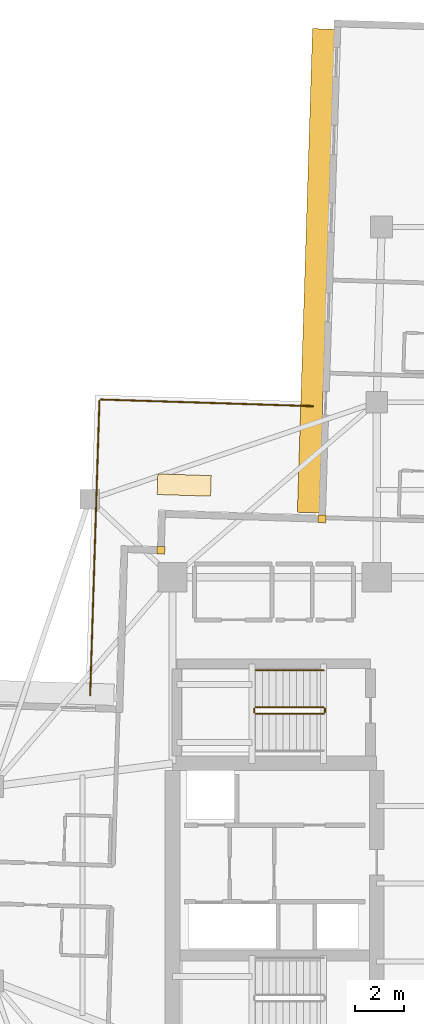
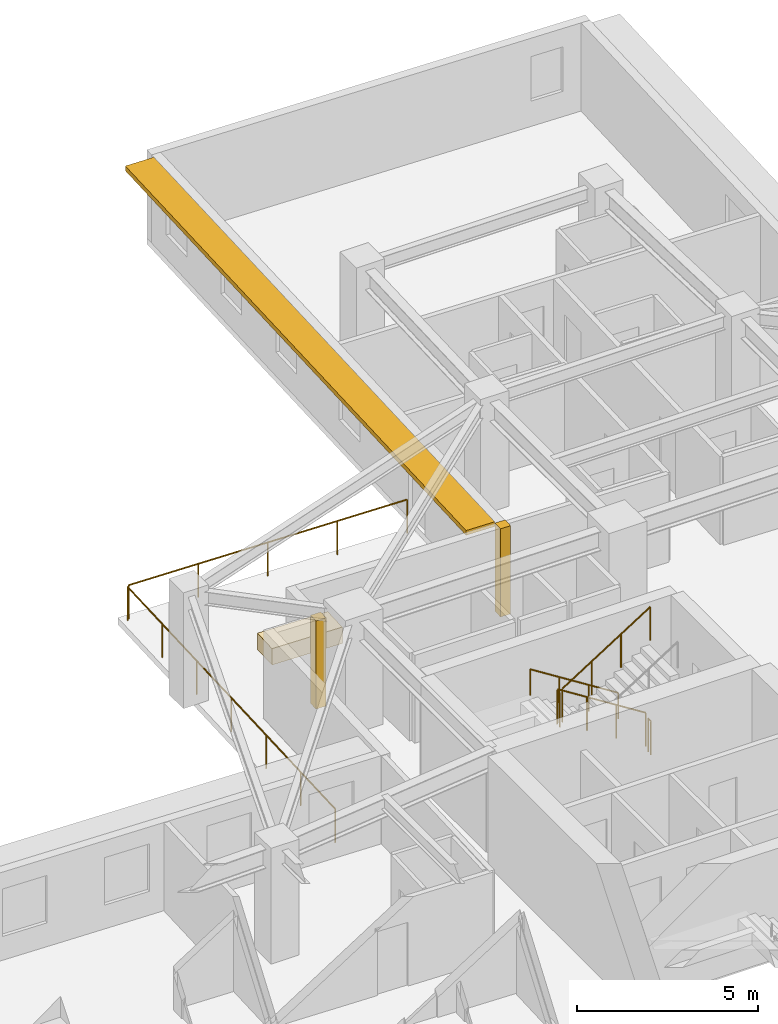
# One storey, part 12 of 13: 7 railings, 3 coverings, 1 shading device.
"""IFC4 building model written with IfcOpenShell, lengths in metres."""

from ifc_helpers import new_model, si_unit, direction, frame, origin, origin_2d, place, context, subcontext, project, spatial, rectangle, circle, extrude, material, layer, layer_set, type_object, element, save


model = new_model("IFC4")

# Units and contexts
model_context = context("Model", 3, precision=1e-05, world=origin(), true_north=direction((0.0, 1.0)))
body_context = subcontext(model_context, "Body", "Model", "MODEL_VIEW")
ifc_project = project(units=[si_unit("LENGTHUNIT", "METRE"), si_unit("AREAUNIT", "SQUARE_METRE"), si_unit("VOLUMEUNIT", "CUBIC_METRE"), si_unit("PLANEANGLEUNIT", "RADIAN"), si_unit("MASSUNIT", "GRAM", prefix="KILO")], contexts=[model_context])

# Site, building, storey
site_placement = place(None, origin())
site = spatial("IfcSite", under=ifc_project, at=site_placement, CompositionType="ELEMENT")
building_placement = place(site_placement, origin())
building = spatial("IfcBuilding", under=site, at=building_placement, Name="Qingluan Cross Belvedere", CompositionType="ELEMENT")
storey_placement = place(building_placement, frame((0.0, 0.0, 152.699951171875)))
storey = spatial("IfcBuildingStorey", under=building, at=storey_placement, Name="L38", CompositionType="ELEMENT", Elevation=152.699951171875)

# Coverings
ifc_material_1 = material(Name="Precast concrete C45", Category="concrete")
ifc_layer_1 = layer(ifc_material_1, 0.1201171875, Name="ConcreteSpandrelCladding_120")
ifc_layer_set_1 = layer_set([ifc_layer_1], Name="Precast concrete C45")
covering_type_1 = type_object("IfcCoveringType", Name="ConcreteSpandrelCladding_120", PredefinedType="CLADDING", material=ifc_layer_set_1)
for number, where, z_axis, x_axis, name in (
    (1, (-12.875732421875, 13.711181640625, 0.0), (0.0, 0.0, 1.0), (0.999506560366, -0.031410759078, 0.0), "Corner closure L38-NW1"),
    (2, (-6.251708984375, 15.00390625, 0.0), (0.0, 0.0, 1.0), (0.999506560366, -0.031410759078, 0.0), "Corner closure L38-NW2"),
):
    element("IfcCovering", number, at=place(storey_placement, frame(where, z_axis=z_axis, x_axis=x_axis)), inside=storey, type_object=covering_type_1, Name=name, PredefinedType="CLADDING", context=body_context, shape_type="SweptSolid", body=[
        extrude(rectangle(XDim=0.320068359375, YDim=0.320068359375, at=origin_2d()), origin(), (0.0, 0.0, 1.0), 2.969970703125),
    ])

# Shading device
ifc_material_2 = material(Name="Precast concrete C45", Category="concrete")
ifc_layer_2 = layer(ifc_material_2, 0.159912109375, Name="ConcreteSunshadeBand_900")
ifc_layer_set_2 = layer_set([ifc_layer_2], Name="Precast concrete C45")
shading_device_type = type_object("IfcShadingDeviceType", Name="ConcreteSunshadeBand_900", PredefinedType="USERDEFINED", material=ifc_layer_set_2)
shading_device_placement = place(storey_placement, frame((-6.50146484375, 25.206787109375, 2.7900390625), z_axis=(0.0, 0.0, 1.0), x_axis=(-0.031407934627, -0.999506649124, 0.0)))
element("IfcShadingDevice", 3, at=shading_device_placement, inside=storey, type_object=shading_device_type, Name="Concrete SUNSHADE L38-NB", ObjectType="SUNSHADE", PredefinedType="USERDEFINED", context=body_context, shape_type="SweptSolid", body=[
    extrude(rectangle(XDim=19.89990234375, YDim=0.89990234375, at=origin_2d()), origin(), (0.0, 0.0, 1.0), 0.159912109375),
])

# Railings
ifc_material_3 = material(Name="Brushed stainless steel tubular handrail", Category="steel")
railing_type_1 = type_object("IfcRailingType", Name="StairPitchHandrail_900", PredefinedType="HANDRAIL", material=ifc_material_3)
railing_1_placement = place(storey_placement, frame((-6.179931640625, 8.77001953125, 0.17724609375)))
element("IfcRailing", 4, at=railing_1_placement, inside=storey, type_object=railing_type_1, Name="L38 ST3 stair handrail 1", PredefinedType="HANDRAIL", context=body_context, shape_type="SweptSolid", body=[
    extrude(circle(Radius=0.02392578125, at=origin_2d()), frame((0.0, 0.0, 0.8759765625), z_axis=(-0.844908973607, 0.0, 0.534910110503), x_axis=(0.0, -1.0, 0.0)), (0.0, 0.0, 1.0), 3.31396484375),
    extrude(circle(Radius=0.02099609375, at=origin_2d()), origin(), (0.0, 0.0, 1.0), 0.851806640625),
    extrude(circle(Radius=0.02099609375, at=origin_2d()), frame((-0.933349609375, 0.0, 0.5908203125)), (0.0, 0.0, 1.0), 0.851806640625),
    extrude(circle(Radius=0.02099609375, at=origin_2d()), frame((-1.86669921875, 0.0, 1.181884765625)), (0.0, 0.0, 1.0), 0.851806640625),
    extrude(circle(Radius=0.02099609375, at=origin_2d()), frame((-2.800048828125, 0.0, 1.772705078125)), (0.0, 0.0, 1.0), 0.851806640625),
])
ifc_material_4 = material(Name="Painted steel stair well guard", Category="steel")
railing_type_2 = type_object("IfcRailingType", Name="StairWellGuard_1150", PredefinedType="BALUSTRADE", material=ifc_material_4)
railing_2_placement = place(storey_placement, frame((-6.179931640625, 7.25, 0.17724609375)))
element("IfcRailing", 5, at=railing_2_placement, inside=storey, type_object=railing_type_2, Name="L38 ST3 stair guard 1", PredefinedType="BALUSTRADE", context=body_context, shape_type="SweptSolid", body=[
    extrude(circle(Radius=0.02392578125, at=origin_2d()), frame((0.0, 0.0, 1.1259765625), z_axis=(-0.844908973607, 0.0, 0.534910110503), x_axis=(0.0, -1.0, 0.0)), (0.0, 0.0, 1.0), 3.31396484375),
    extrude(circle(Radius=0.02099609375, at=origin_2d()), origin(), (0.0, 0.0, 1.0), 1.101806640625),
    extrude(circle(Radius=0.02099609375, at=origin_2d()), frame((-0.933349609375, 0.0, 0.5908203125)), (0.0, 0.0, 1.0), 1.101806640625),
    extrude(circle(Radius=0.02099609375, at=origin_2d()), frame((-1.86669921875, 0.0, 1.181884765625)), (0.0, 0.0, 1.0), 1.101806640625),
    extrude(circle(Radius=0.02099609375, at=origin_2d()), frame((-2.800048828125, 0.0, 1.772705078125)), (0.0, 0.0, 1.0), 1.101806640625),
])
railing_3_placement = place(storey_placement, frame((-9.030029296875, 7.199951171875, 1.949951171875)))
element("IfcRailing", 6, at=railing_3_placement, inside=storey, type_object=railing_type_2, Name="L38 ST3 stair guard 2", PredefinedType="BALUSTRADE", context=body_context, shape_type="SweptSolid", body=[
    extrude(circle(Radius=0.02392578125, at=origin_2d()), frame((0.0, 0.0, 1.1259765625), z_axis=(0.0, -1.0, 0.0), x_axis=(1.0, 0.0, 0.0)), (0.0, 0.0, 1.0), 0.159912109375),
    extrude(circle(Radius=0.02099609375, at=origin_2d()), origin(), (0.0, 0.0, 1.0), 1.101806640625),
    extrude(circle(Radius=0.02099609375, at=origin_2d()), frame((0.0, -0.159912109375, 0.0)), (0.0, 0.0, 1.0), 1.101806640625),
])
railing_4_placement = place(storey_placement, frame((-8.97998046875, 6.989990234375, 2.12744140625)))
element("IfcRailing", 7, at=railing_4_placement, inside=storey, type_object=railing_type_2, Name="L38 ST3 stair guard 3", PredefinedType="BALUSTRADE", context=body_context, shape_type="SweptSolid", body=[
    extrude(circle(Radius=0.02392578125, at=origin_2d()), frame((0.0, 0.0, 1.1259765625), z_axis=(0.844908973607, 0.0, 0.534910110503), x_axis=(0.0, 1.0, 0.0)), (0.0, 0.0, 1.0), 3.31396484375),
    extrude(circle(Radius=0.02099609375, at=origin_2d()), origin(), (0.0, 0.0, 1.0), 1.101806640625),
    extrude(circle(Radius=0.02099609375, at=origin_2d()), frame((0.933349609375, 0.0, 0.5908203125)), (0.0, 0.0, 1.0), 1.101806640625),
    extrude(circle(Radius=0.02099609375, at=origin_2d()), frame((1.86669921875, 0.0, 1.181884765625)), (0.0, 0.0, 1.0), 1.101806640625),
    extrude(circle(Radius=0.02099609375, at=origin_2d()), frame((2.800048828125, 0.0, 1.772705078125)), (0.0, 0.0, 1.0), 1.101806640625),
])
railing_5_placement = place(storey_placement, frame((-6.1298828125, 7.199951171875, 0.0)))
element("IfcRailing", 8, at=railing_5_placement, inside=storey, type_object=railing_type_2, Name="L38 ST3 stair guard 4", PredefinedType="BALUSTRADE", context=body_context, shape_type="SweptSolid", body=[
    extrude(circle(Radius=0.02392578125, at=origin_2d()), frame((0.0, 0.0, 1.1259765625), z_axis=(0.0, -1.0, 0.0), x_axis=(1.0, 0.0, 0.0)), (0.0, 0.0, 1.0), 0.159912109375),
    extrude(circle(Radius=0.02099609375, at=origin_2d()), origin(), (0.0, 0.0, 1.0), 1.101806640625),
    extrude(circle(Radius=0.02099609375, at=origin_2d()), frame((0.0, -0.159912109375, 0.0)), (0.0, 0.0, 1.0), 1.101806640625),
])
ifc_material_5 = material(Name="Laminated glass and stainless steel balustrade", Category="steel")
railing_type_3 = type_object("IfcRailingType", Name="TerraceGuardBalustrade_1150", PredefinedType="BALUSTRADE", material=ifc_material_5)
railing_6_placement = place(storey_placement, frame((-15.78466796875, 7.739501953125, 0.0)))
element("IfcRailing", 9, at=railing_6_placement, inside=storey, type_object=railing_type_3, Name="Terrace guard L38-1", PredefinedType="BALUSTRADE", context=body_context, shape_type="SweptSolid", body=[
    extrude(circle(Radius=0.02392578125, at=origin_2d()), frame((0.0, 0.0, 1.1259765625), z_axis=(0.031403286853, 0.999506795162, 0.0), x_axis=(-0.999506795162, 0.031403286853, 0.0)), (0.0, 0.0, 1.0), 12.1201171875),
    extrude(circle(Radius=0.02099609375, at=origin_2d()), origin(), (0.0, 0.0, 1.0), 1.101806640625),
    extrude(circle(Radius=0.02099609375, at=origin_2d()), frame((0.0634765625, 2.01904296875, 0.0)), (0.0, 0.0, 1.0), 1.101806640625),
    extrude(circle(Radius=0.02099609375, at=origin_2d()), frame((0.126953125, 4.0380859375, 0.0)), (0.0, 0.0, 1.0), 1.101806640625),
    extrude(circle(Radius=0.02099609375, at=origin_2d()), frame((0.1904296875, 6.05712890625, 0.0)), (0.0, 0.0, 1.0), 1.101806640625),
    extrude(circle(Radius=0.02099609375, at=origin_2d()), frame((0.253662109375, 8.076171875, 0.0)), (0.0, 0.0, 1.0), 1.101806640625),
    extrude(circle(Radius=0.02099609375, at=origin_2d()), frame((0.317138671875, 10.09521484375, 0.0)), (0.0, 0.0, 1.0), 1.101806640625),
    extrude(circle(Radius=0.02099609375, at=origin_2d()), frame((0.380615234375, 12.1142578125, 0.0)), (0.0, 0.0, 1.0), 1.101806640625),
])
railing_7_placement = place(storey_placement, frame((-15.34228515625, 19.91162109375, 0.0)))
element("IfcRailing", 10, at=railing_7_placement, inside=storey, type_object=railing_type_3, Name="Terrace guard L38-2", PredefinedType="BALUSTRADE", context=body_context, shape_type="SweptSolid", body=[
    extrude(circle(Radius=0.02392578125, at=origin_2d()), frame((0.0, 0.0, 1.1259765625), z_axis=(0.999506488021, -0.031413061052, 0.0), x_axis=(0.031413061052, 0.999506488021, 0.0)), (0.0, 0.0, 1.0), 8.72021484375),
    extrude(circle(Radius=0.02099609375, at=origin_2d()), origin(), (0.0, 0.0, 1.0), 1.101806640625),
    extrude(circle(Radius=0.02099609375, at=origin_2d()), frame((2.178955078125, -0.068359375, 0.0)), (0.0, 0.0, 1.0), 1.101806640625),
    extrude(circle(Radius=0.02099609375, at=origin_2d()), frame((4.35791015625, -0.136962890625, 0.0)), (0.0, 0.0, 1.0), 1.101806640625),
    extrude(circle(Radius=0.02099609375, at=origin_2d()), frame((6.536865234375, -0.20556640625, 0.0)), (0.0, 0.0, 1.0), 1.101806640625),
    extrude(circle(Radius=0.02099609375, at=origin_2d()), frame((8.7158203125, -0.27392578125, 0.0)), (0.0, 0.0, 1.0), 1.101806640625),
])

# Covering
ifc_material_6 = material(Name="Precast concrete C40", Category="concrete")
ifc_layer_3 = layer(ifc_material_6, 0.550048828125, Name="TerracePlanterBox")
ifc_layer_set_3 = layer_set([ifc_layer_3], Name="Precast concrete C40")
covering_type_2 = type_object("IfcCoveringType", Name="TerracePlanterBox", PredefinedType="USERDEFINED", material=ifc_layer_set_3)
covering_placement = place(storey_placement, frame((-11.916015625, 16.39208984375, 0.0), z_axis=(0.0, 0.0, 1.0), x_axis=(0.999506560366, -0.031410759078, 0.0)))
element("IfcCovering", 11, at=covering_placement, inside=storey, type_object=covering_type_2, Name="Spiralling winter-garden planter L38", ObjectType="PLANTER", PredefinedType="USERDEFINED", context=body_context, shape_type="SweptSolid", body=[
    extrude(rectangle(XDim=2.199951171875, YDim=0.85009765625, at=origin_2d()), origin(), (0.0, 0.0, 1.0), 0.550048828125),
])

save(model, "model.ifc")
